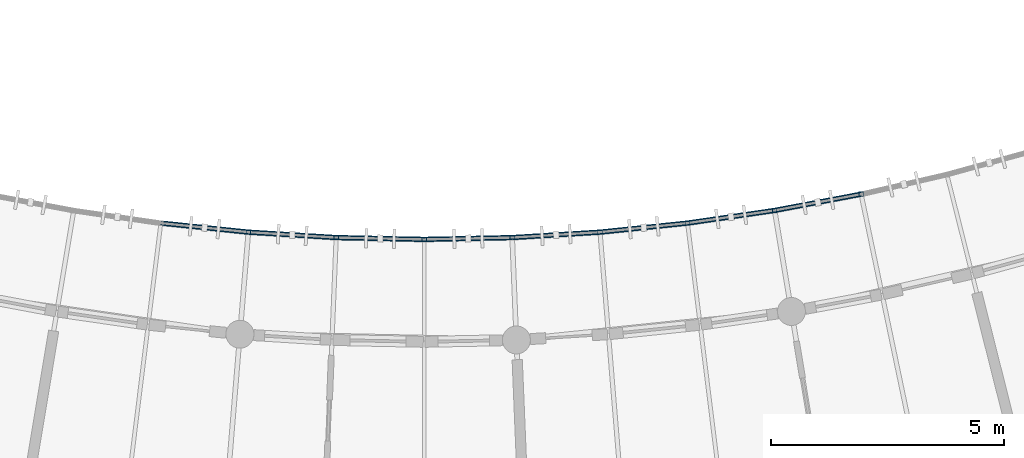
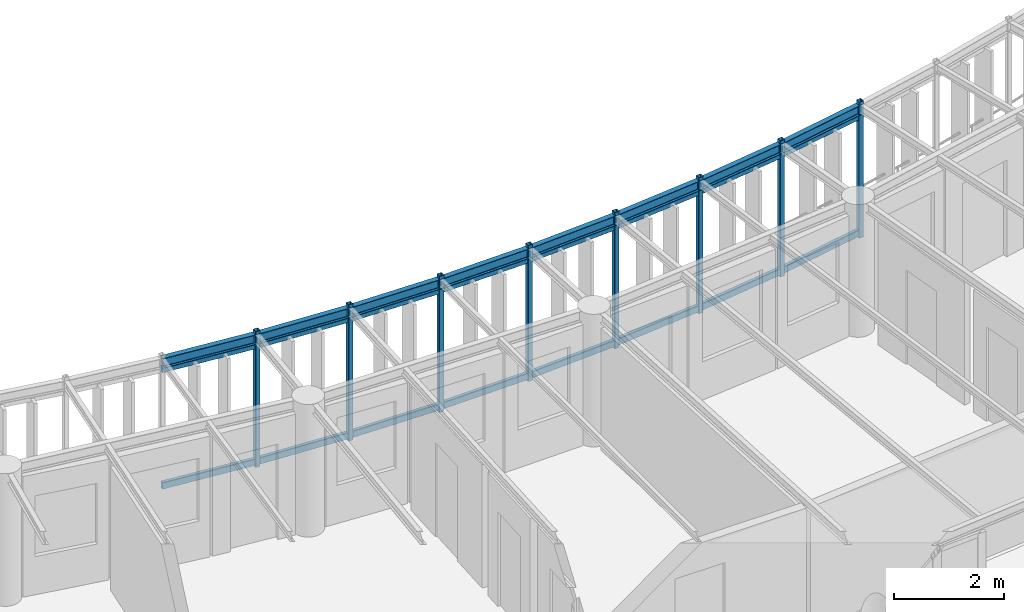
# One storey, part 19 of 100: 24 members, 8 beams.
"""IFC4 building model written with IfcOpenShell, lengths in metres."""

from ifc_helpers import new_model, si_unit, direction, frame, origin, origin_2d, place, context, subcontext, project, spatial, hollow_rectangle, i_section, extrude, material, material_profile, profile_set, type_object, element, save


model = new_model("IFC4")

# Units and contexts
model_context = context("Model", 3, precision=1e-05, world=origin(), true_north=direction((0.0, 1.0)))
body_context = subcontext(model_context, "Body", "Model", "MODEL_VIEW")
ifc_project = project(units=[si_unit("LENGTHUNIT", "METRE"), si_unit("AREAUNIT", "SQUARE_METRE"), si_unit("VOLUMEUNIT", "CUBIC_METRE"), si_unit("PLANEANGLEUNIT", "RADIAN"), si_unit("MASSUNIT", "GRAM", prefix="KILO"), si_unit("POWERUNIT", "WATT"), si_unit("THERMODYNAMICTEMPERATUREUNIT", "KELVIN")], contexts=[model_context])

# Site, building, storey
site_placement = place(None, origin())
site = spatial("IfcSite", under=ifc_project, at=site_placement, CompositionType="ELEMENT")
building_placement = place(site_placement, origin())
building = spatial("IfcBuilding", under=site, at=building_placement, Name="Ruvembo Vaulted Housing Court", CompositionType="ELEMENT")
storey_placement = place(building_placement, frame((0.0, 0.0, 14.10009765625)))
storey = spatial("IfcBuildingStorey", under=building, at=storey_placement, Name="L04", CompositionType="ELEMENT", Elevation=14.10009765625)

# Beams
ifc_material = material(Name="Steel S355J2", Category="steel")
ifc_material_profile_1 = material_profile(ifc_material, i_section(OverallWidth=0.110107421875, OverallDepth=0.219970703125, WebThickness=0.005859375, FlangeThickness=0.00927734375, FilletRadius=0.011962890625, at=origin_2d()), Name="IPE 220")
ifc_profile_set_1 = profile_set([ifc_material_profile_1], Name="Steel S355J2")
beam_type = type_object("IfcBeamType", Name="BM-ST-IPE220", PredefinedType="SPANDREL", material=ifc_profile_set_1)
beam_1_placement = place(storey_placement, frame((63.34619140625, 16.55029296875, 2.829833984375), z_axis=(0.994683125416, -0.10298291127, 0.0), x_axis=(0.10298291127, 0.994683125416, 0.0)))
element("IfcBeam", 1, at=beam_1_placement, inside=storey, type_object=beam_type, Name="Scoop SC2 L04 Balcony Edge Spandrel 11", PredefinedType="SPANDREL", context=body_context, shape_type="SweptSolid", body=[
    extrude(i_section(OverallWidth=0.110107421875, OverallDepth=0.219970703125, WebThickness=0.005859375, FlangeThickness=0.00927734375, FilletRadius=0.011962890625, at=origin_2d()), origin(), (0.0, 0.0, 1.0), 1.889404296875),
])
beam_2_placement = place(storey_placement, frame((65.2255859375, 16.355712890625, 2.829833984375), z_axis=(0.998090110864, -0.061774837886, 0.0), x_axis=(0.061774837886, 0.998090110864, 0.0)))
element("IfcBeam", 2, at=beam_2_placement, inside=storey, type_object=beam_type, Name="Scoop SC2 L04 Balcony Edge Spandrel 12", PredefinedType="SPANDREL", context=body_context, shape_type="SweptSolid", body=[
    extrude(i_section(OverallWidth=0.110107421875, OverallDepth=0.219970703125, WebThickness=0.005859375, FlangeThickness=0.00927734375, FilletRadius=0.011962890625, at=origin_2d()), origin(), (0.0, 0.0, 1.0), 1.88916015625),
])
for number, where, z_axis, x_axis, name in (
    (3, (67.111083984375, 16.239013671875, 2.829833984375), (0.99978624046, -0.020675429556, 0.0), (0.020675429556, 0.99978624046, 0.0), "Scoop SC2 L04 Balcony Edge Spandrel 13"),
    (4, (69.0, 16.199951171875, 2.829833984375), (0.99978624046, 0.020675429556, 0.0), (-0.020675429556, 0.99978624046, 0.0), "Scoop SC2 L04 Balcony Edge Spandrel 14"),
):
    element("IfcBeam", number, at=place(storey_placement, frame(where, z_axis=z_axis, x_axis=x_axis)), inside=storey, type_object=beam_type, Name=name, PredefinedType="SPANDREL", context=body_context, shape_type="SweptSolid", body=[
        extrude(i_section(OverallWidth=0.110107421875, OverallDepth=0.219970703125, WebThickness=0.005859375, FlangeThickness=0.00927734375, FilletRadius=0.011962890625, at=origin_2d()), origin(), (0.0, 0.0, 1.0), 1.889404296875),
    ])
beam_3_placement = place(storey_placement, frame((70.888916015625, 16.239013671875, 2.829833984375), z_axis=(0.998090110864, 0.061774837886, 0.0), x_axis=(-0.061774837886, 0.998090110864, 0.0)))
element("IfcBeam", 5, at=beam_3_placement, inside=storey, type_object=beam_type, Name="Scoop SC2 L04 Balcony Edge Spandrel 15", PredefinedType="SPANDREL", context=body_context, shape_type="SweptSolid", body=[
    extrude(i_section(OverallWidth=0.110107421875, OverallDepth=0.219970703125, WebThickness=0.005859375, FlangeThickness=0.00927734375, FilletRadius=0.011962890625, at=origin_2d()), origin(), (0.0, 0.0, 1.0), 1.88916015625),
])
beam_4_placement = place(storey_placement, frame((72.7744140625, 16.355712890625, 2.829833984375), z_axis=(0.994683125416, 0.10298291127, 0.0), x_axis=(-0.10298291127, 0.994683125416, 0.0)))
element("IfcBeam", 6, at=beam_4_placement, inside=storey, type_object=beam_type, Name="Scoop SC2 L04 Balcony Edge Spandrel 16", PredefinedType="SPANDREL", context=body_context, shape_type="SweptSolid", body=[
    extrude(i_section(OverallWidth=0.110107421875, OverallDepth=0.219970703125, WebThickness=0.005859375, FlangeThickness=0.00927734375, FilletRadius=0.011962890625, at=origin_2d()), origin(), (0.0, 0.0, 1.0), 1.889404296875),
])
beam_5_placement = place(storey_placement, frame((74.65380859375, 16.55029296875, 2.829833984375), z_axis=(0.989600158039, 0.143845497701, 0.0), x_axis=(-0.143845497701, 0.989600158039, 0.0)))
element("IfcBeam", 7, at=beam_5_placement, inside=storey, type_object=beam_type, Name="Scoop SC2 L04 Balcony Edge Spandrel 17", PredefinedType="SPANDREL", context=body_context, shape_type="SweptSolid", body=[
    extrude(i_section(OverallWidth=0.110107421875, OverallDepth=0.219970703125, WebThickness=0.005859375, FlangeThickness=0.00927734375, FilletRadius=0.011962890625, at=origin_2d()), origin(), (0.0, 0.0, 1.0), 1.888916015625),
])
beam_6_placement = place(storey_placement, frame((76.523193359375, 16.822021484375, 2.829833984375), z_axis=(0.982804832401, 0.184647397515, 0.0), x_axis=(-0.184647397515, 0.982804832401, 0.0)))
element("IfcBeam", 8, at=beam_6_placement, inside=storey, type_object=beam_type, Name="Scoop SC2 L04 Balcony Edge Spandrel 18", PredefinedType="SPANDREL", context=body_context, shape_type="SweptSolid", body=[
    extrude(i_section(OverallWidth=0.110107421875, OverallDepth=0.219970703125, WebThickness=0.005859375, FlangeThickness=0.00927734375, FilletRadius=0.011962890625, at=origin_2d()), origin(), (0.0, 0.0, 1.0), 1.889404296875),
])

# Members
ifc_material_profile_2 = material_profile(ifc_material, hollow_rectangle(XDim=0.06005859375, YDim=0.1201171875, WallThickness=0.0048828125, InnerFilletRadius=0.0048828125, OuterFilletRadius=0.010009765625, at=origin_2d()), Name="RHS 120x60x5")
ifc_profile_set_2 = profile_set([ifc_material_profile_2], Name="Steel S355J2")
member_type_1 = type_object("IfcMemberType", Name="MEM-CAR-RHS120", PredefinedType="CHORD", material=ifc_profile_set_2)
member_1_placement = place(storey_placement, frame((63.34619140625, 16.55029296875, 2.662841796875), z_axis=(0.994683125416, -0.10298291127, 0.0), x_axis=(0.10298291127, 0.994683125416, 0.0)))
element("IfcMember", 9, at=member_1_placement, inside=storey, type_object=member_type_1, Name="Scoop SC2 L04 Upper Louvre Carrier Rail 11", PredefinedType="CHORD", context=body_context, shape_type="SweptSolid", body=[
    extrude(hollow_rectangle(XDim=0.06005859375, YDim=0.1201171875, WallThickness=0.0048828125, InnerFilletRadius=0.0048828125, OuterFilletRadius=0.010009765625, at=origin_2d()), origin(), (0.0, 0.0, 1.0), 1.889404296875),
])
member_2_placement = place(storey_placement, frame((65.2255859375, 16.355712890625, 2.662841796875), z_axis=(0.998090110864, -0.061774837886, 0.0), x_axis=(0.061774837886, 0.998090110864, 0.0)))
element("IfcMember", 10, at=member_2_placement, inside=storey, type_object=member_type_1, Name="Scoop SC2 L04 Upper Louvre Carrier Rail 12", PredefinedType="CHORD", context=body_context, shape_type="SweptSolid", body=[
    extrude(hollow_rectangle(XDim=0.06005859375, YDim=0.1201171875, WallThickness=0.0048828125, InnerFilletRadius=0.0048828125, OuterFilletRadius=0.010009765625, at=origin_2d()), origin(), (0.0, 0.0, 1.0), 1.88916015625),
])
for number, where, z_axis, x_axis, name in (
    (11, (67.111083984375, 16.239013671875, 2.662841796875), (0.99978624046, -0.020675429556, 0.0), (0.020675429556, 0.99978624046, 0.0), "Scoop SC2 L04 Upper Louvre Carrier Rail 13"),
    (12, (69.0, 16.199951171875, 2.662841796875), (0.99978624046, 0.020675429556, 0.0), (-0.020675429556, 0.99978624046, 0.0), "Scoop SC2 L04 Upper Louvre Carrier Rail 14"),
):
    element("IfcMember", number, at=place(storey_placement, frame(where, z_axis=z_axis, x_axis=x_axis)), inside=storey, type_object=member_type_1, Name=name, PredefinedType="CHORD", context=body_context, shape_type="SweptSolid", body=[
        extrude(hollow_rectangle(XDim=0.06005859375, YDim=0.1201171875, WallThickness=0.0048828125, InnerFilletRadius=0.0048828125, OuterFilletRadius=0.010009765625, at=origin_2d()), origin(), (0.0, 0.0, 1.0), 1.889404296875),
    ])
member_3_placement = place(storey_placement, frame((70.888916015625, 16.239013671875, 2.662841796875), z_axis=(0.998090110864, 0.061774837886, 0.0), x_axis=(-0.061774837886, 0.998090110864, 0.0)))
element("IfcMember", 13, at=member_3_placement, inside=storey, type_object=member_type_1, Name="Scoop SC2 L04 Upper Louvre Carrier Rail 15", PredefinedType="CHORD", context=body_context, shape_type="SweptSolid", body=[
    extrude(hollow_rectangle(XDim=0.06005859375, YDim=0.1201171875, WallThickness=0.0048828125, InnerFilletRadius=0.0048828125, OuterFilletRadius=0.010009765625, at=origin_2d()), origin(), (0.0, 0.0, 1.0), 1.88916015625),
])
member_4_placement = place(storey_placement, frame((72.7744140625, 16.355712890625, 2.662841796875), z_axis=(0.994683125416, 0.10298291127, 0.0), x_axis=(-0.10298291127, 0.994683125416, 0.0)))
element("IfcMember", 14, at=member_4_placement, inside=storey, type_object=member_type_1, Name="Scoop SC2 L04 Upper Louvre Carrier Rail 16", PredefinedType="CHORD", context=body_context, shape_type="SweptSolid", body=[
    extrude(hollow_rectangle(XDim=0.06005859375, YDim=0.1201171875, WallThickness=0.0048828125, InnerFilletRadius=0.0048828125, OuterFilletRadius=0.010009765625, at=origin_2d()), origin(), (0.0, 0.0, 1.0), 1.889404296875),
])
member_5_placement = place(storey_placement, frame((74.65380859375, 16.55029296875, 2.662841796875), z_axis=(0.989600158039, 0.143845497701, 0.0), x_axis=(-0.143845497701, 0.989600158039, 0.0)))
element("IfcMember", 15, at=member_5_placement, inside=storey, type_object=member_type_1, Name="Scoop SC2 L04 Upper Louvre Carrier Rail 17", PredefinedType="CHORD", context=body_context, shape_type="SweptSolid", body=[
    extrude(hollow_rectangle(XDim=0.06005859375, YDim=0.1201171875, WallThickness=0.0048828125, InnerFilletRadius=0.0048828125, OuterFilletRadius=0.010009765625, at=origin_2d()), origin(), (0.0, 0.0, 1.0), 1.888916015625),
])
member_6_placement = place(storey_placement, frame((76.523193359375, 16.822021484375, 2.662841796875), z_axis=(0.982804832401, 0.184647397515, 0.0), x_axis=(-0.184647397515, 0.982804832401, 0.0)))
element("IfcMember", 16, at=member_6_placement, inside=storey, type_object=member_type_1, Name="Scoop SC2 L04 Upper Louvre Carrier Rail 18", PredefinedType="CHORD", context=body_context, shape_type="SweptSolid", body=[
    extrude(hollow_rectangle(XDim=0.06005859375, YDim=0.1201171875, WallThickness=0.0048828125, InnerFilletRadius=0.0048828125, OuterFilletRadius=0.010009765625, at=origin_2d()), origin(), (0.0, 0.0, 1.0), 1.889404296875),
])
ifc_material_profile_3 = material_profile(ifc_material, hollow_rectangle(XDim=0.080078125, YDim=0.14990234375, WallThickness=0.00634765625, InnerFilletRadius=0.00634765625, OuterFilletRadius=0.0126953125, at=origin_2d()), Name="RHS 150x80x6.3")
ifc_profile_set_3 = profile_set([ifc_material_profile_3], Name="Steel S355J2")
member_type_2 = type_object("IfcMemberType", Name="MEM-CAR-RHS150", PredefinedType="CHORD", material=ifc_profile_set_3)
member_7_placement = place(storey_placement, frame((63.34619140625, 16.55029296875, 0.094970703125), z_axis=(0.994683125416, -0.10298291127, 0.0), x_axis=(0.10298291127, 0.994683125416, 0.0)))
element("IfcMember", 17, at=member_7_placement, inside=storey, type_object=member_type_2, Name="Scoop SC2 L04 Lower Louvre Carrier Rail 11", PredefinedType="CHORD", context=body_context, shape_type="SweptSolid", body=[
    extrude(hollow_rectangle(XDim=0.080078125, YDim=0.14990234375, WallThickness=0.00634765625, InnerFilletRadius=0.00634765625, OuterFilletRadius=0.0126953125, at=origin_2d()), origin(), (0.0, 0.0, 1.0), 1.889404296875),
])
member_8_placement = place(storey_placement, frame((65.2255859375, 16.355712890625, 0.094970703125), z_axis=(0.998090110864, -0.061774837886, 0.0), x_axis=(0.061774837886, 0.998090110864, 0.0)))
element("IfcMember", 18, at=member_8_placement, inside=storey, type_object=member_type_2, Name="Scoop SC2 L04 Lower Louvre Carrier Rail 12", PredefinedType="CHORD", context=body_context, shape_type="SweptSolid", body=[
    extrude(hollow_rectangle(XDim=0.080078125, YDim=0.14990234375, WallThickness=0.00634765625, InnerFilletRadius=0.00634765625, OuterFilletRadius=0.0126953125, at=origin_2d()), origin(), (0.0, 0.0, 1.0), 1.88916015625),
])
for number, where, z_axis, x_axis, name in (
    (19, (67.111083984375, 16.239013671875, 0.094970703125), (0.99978624046, -0.020675429556, 0.0), (0.020675429556, 0.99978624046, 0.0), "Scoop SC2 L04 Lower Louvre Carrier Rail 13"),
    (20, (69.0, 16.199951171875, 0.094970703125), (0.99978624046, 0.020675429556, 0.0), (-0.020675429556, 0.99978624046, 0.0), "Scoop SC2 L04 Lower Louvre Carrier Rail 14"),
):
    element("IfcMember", number, at=place(storey_placement, frame(where, z_axis=z_axis, x_axis=x_axis)), inside=storey, type_object=member_type_2, Name=name, PredefinedType="CHORD", context=body_context, shape_type="SweptSolid", body=[
        extrude(hollow_rectangle(XDim=0.080078125, YDim=0.14990234375, WallThickness=0.00634765625, InnerFilletRadius=0.00634765625, OuterFilletRadius=0.0126953125, at=origin_2d()), origin(), (0.0, 0.0, 1.0), 1.889404296875),
    ])
member_9_placement = place(storey_placement, frame((70.888916015625, 16.239013671875, 0.094970703125), z_axis=(0.998090110864, 0.061774837886, 0.0), x_axis=(-0.061774837886, 0.998090110864, 0.0)))
element("IfcMember", 21, at=member_9_placement, inside=storey, type_object=member_type_2, Name="Scoop SC2 L04 Lower Louvre Carrier Rail 15", PredefinedType="CHORD", context=body_context, shape_type="SweptSolid", body=[
    extrude(hollow_rectangle(XDim=0.080078125, YDim=0.14990234375, WallThickness=0.00634765625, InnerFilletRadius=0.00634765625, OuterFilletRadius=0.0126953125, at=origin_2d()), origin(), (0.0, 0.0, 1.0), 1.88916015625),
])
member_10_placement = place(storey_placement, frame((72.7744140625, 16.355712890625, 0.094970703125), z_axis=(0.994683125416, 0.10298291127, 0.0), x_axis=(-0.10298291127, 0.994683125416, 0.0)))
element("IfcMember", 22, at=member_10_placement, inside=storey, type_object=member_type_2, Name="Scoop SC2 L04 Lower Louvre Carrier Rail 16", PredefinedType="CHORD", context=body_context, shape_type="SweptSolid", body=[
    extrude(hollow_rectangle(XDim=0.080078125, YDim=0.14990234375, WallThickness=0.00634765625, InnerFilletRadius=0.00634765625, OuterFilletRadius=0.0126953125, at=origin_2d()), origin(), (0.0, 0.0, 1.0), 1.889404296875),
])
member_11_placement = place(storey_placement, frame((74.65380859375, 16.55029296875, 0.094970703125), z_axis=(0.989600158039, 0.143845497701, 0.0), x_axis=(-0.143845497701, 0.989600158039, 0.0)))
element("IfcMember", 23, at=member_11_placement, inside=storey, type_object=member_type_2, Name="Scoop SC2 L04 Lower Louvre Carrier Rail 17", PredefinedType="CHORD", context=body_context, shape_type="SweptSolid", body=[
    extrude(hollow_rectangle(XDim=0.080078125, YDim=0.14990234375, WallThickness=0.00634765625, InnerFilletRadius=0.00634765625, OuterFilletRadius=0.0126953125, at=origin_2d()), origin(), (0.0, 0.0, 1.0), 1.888916015625),
])
member_12_placement = place(storey_placement, frame((76.523193359375, 16.822021484375, 0.094970703125), z_axis=(0.982804832401, 0.184647397515, 0.0), x_axis=(-0.184647397515, 0.982804832401, 0.0)))
element("IfcMember", 24, at=member_12_placement, inside=storey, type_object=member_type_2, Name="Scoop SC2 L04 Lower Louvre Carrier Rail 18", PredefinedType="CHORD", context=body_context, shape_type="SweptSolid", body=[
    extrude(hollow_rectangle(XDim=0.080078125, YDim=0.14990234375, WallThickness=0.00634765625, InnerFilletRadius=0.00634765625, OuterFilletRadius=0.0126953125, at=origin_2d()), origin(), (0.0, 0.0, 1.0), 1.889404296875),
])
ifc_material_profile_4 = material_profile(ifc_material, hollow_rectangle(XDim=0.10009765625, YDim=0.10009765625, WallThickness=0.00634765625, InnerFilletRadius=0.00634765625, OuterFilletRadius=0.0126953125, at=origin_2d()), Name="SHS 100x100x6.3")
ifc_profile_set_4 = profile_set([ifc_material_profile_4], Name="Steel S355J2")
member_type_3 = type_object("IfcMemberType", Name="MEM-FRM-SHS100", PredefinedType="STRUT", material=ifc_profile_set_4)
for number, where, z_axis, x_axis, name in (
    (25, (65.2255859375, 16.355712890625, -0.01513671875), (0.0, 0.0, 1.0), (1.0, 0.0, 0.0), "Scoop SC2 L04 Louvre Frame Post 12"),
    (26, (67.111083984375, 16.239013671875, -0.01513671875), (0.0, 0.0, 1.0), (1.0, 0.0, 0.0), "Scoop SC2 L04 Louvre Frame Post 13"),
    (27, (69.0, 16.199951171875, -0.01513671875), (0.0, 0.0, 1.0), (1.0, 0.0, 0.0), "Scoop SC2 L04 Louvre Frame Post 14"),
    (28, (70.888916015625, 16.239013671875, -0.01513671875), (0.0, 0.0, 1.0), (1.0, 0.0, 0.0), "Scoop SC2 L04 Louvre Frame Post 15"),
    (29, (72.7744140625, 16.355712890625, -0.01513671875), (0.0, 0.0, 1.0), (1.0, 0.0, 0.0), "Scoop SC2 L04 Louvre Frame Post 16"),
    (30, (74.65380859375, 16.55029296875, -0.01513671875), (0.0, 0.0, 1.0), (1.0, 0.0, 0.0), "Scoop SC2 L04 Louvre Frame Post 17"),
    (31, (76.523193359375, 16.822021484375, -0.01513671875), (0.0, 0.0, 1.0), (1.0, 0.0, 0.0), "Scoop SC2 L04 Louvre Frame Post 18"),
    (32, (78.380126953125, 17.1708984375, -0.01513671875), (0.0, 0.0, 1.0), (1.0, 0.0, 0.0), "Scoop SC2 L04 Louvre Frame Post 19"),
):
    element("IfcMember", number, at=place(storey_placement, frame(where, z_axis=z_axis, x_axis=x_axis)), inside=storey, type_object=member_type_3, Name=name, PredefinedType="STRUT", context=body_context, shape_type="SweptSolid", body=[
        extrude(hollow_rectangle(XDim=0.10009765625, YDim=0.10009765625, WallThickness=0.00634765625, InnerFilletRadius=0.00634765625, OuterFilletRadius=0.0126953125, at=origin_2d()), origin(), (0.0, 0.0, 1.0), 3.02294921875),
    ])

save(model, "model.ifc")
